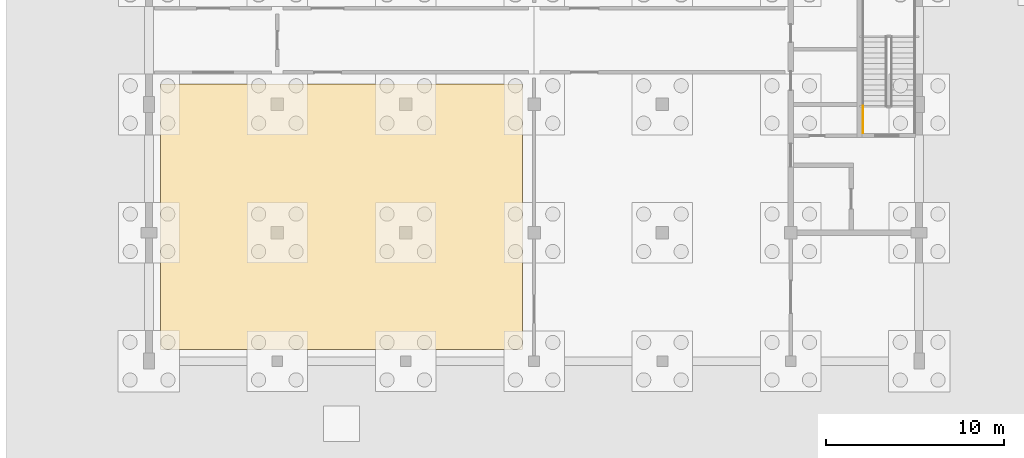
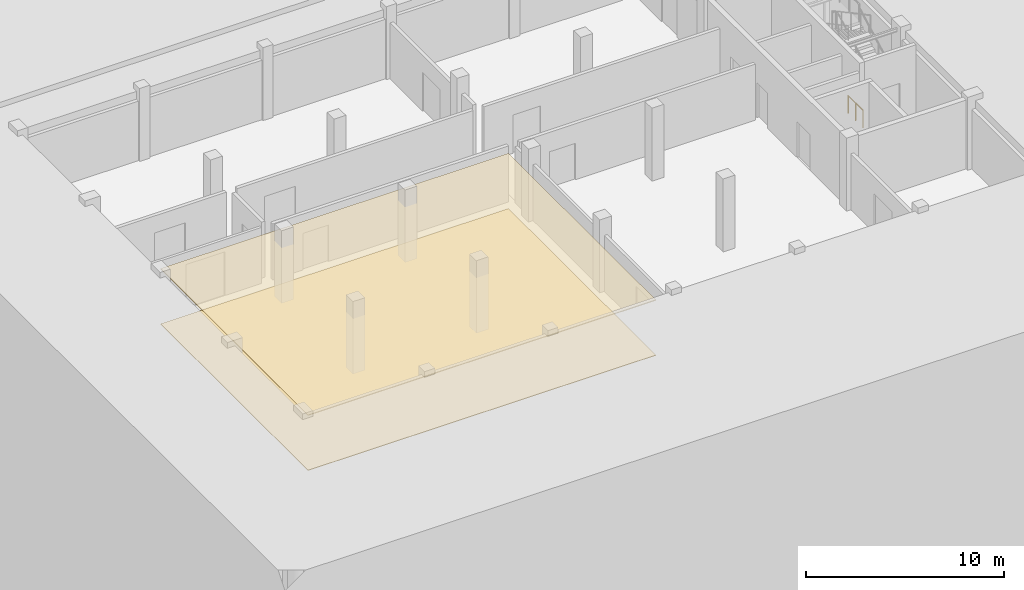
# One storey, part 37 of 51: 2 coverings, 1 railing.
"""IFC4 building model written with IfcOpenShell, lengths in metres."""

from ifc_helpers import new_model, si_unit, direction, frame, origin, origin_2d, place, context, subcontext, project, spatial, polyline, circle, outline, extrude, material, layer, layer_set, type_object, element, save


model = new_model("IFC4")

# Units and contexts
model_context = context("Model", 3, precision=1e-05, world=origin(), true_north=direction((0.0, 1.0)))
body_context = subcontext(model_context, "Body", "Model", "MODEL_VIEW")
ifc_project = project(units=[si_unit("LENGTHUNIT", "METRE"), si_unit("AREAUNIT", "SQUARE_METRE"), si_unit("VOLUMEUNIT", "CUBIC_METRE"), si_unit("PLANEANGLEUNIT", "RADIAN"), si_unit("MASSUNIT", "GRAM", prefix="KILO")], contexts=[model_context])

# Site, building, storey
site_placement = place(None, origin())
site = spatial("IfcSite", under=ifc_project, at=site_placement, CompositionType="ELEMENT")
building_placement = place(site_placement, origin())
building = spatial("IfcBuilding", under=site, at=building_placement, Name="Zlatovets Crest Museum", CompositionType="ELEMENT")
storey_placement = place(building_placement, frame((0.0, 0.0, -4.5)))
storey = spatial("IfcBuildingStorey", under=building, at=storey_placement, Name="B1", CompositionType="ELEMENT", Elevation=-4.5)

# Coverings
ifc_material_1 = material(Name="Micro-perforated gypsum acoustic gallery ceiling")
ifc_layer_1 = layer(ifc_material_1, 0.050048828125)
ifc_layer_set_1 = layer_set([ifc_layer_1], Name="Micro-perforated gypsum acoustic gallery ceiling")
covering_type_1 = type_object("IfcCoveringType", Name="GalleryCeiling_CLG1", PredefinedType="CEILING", material=ifc_layer_set_1)
covering_1_placement = place(storey_placement, frame((0.0, 0.0, 3.389892578125)))
element("IfcCovering", 1, at=covering_1_placement, inside=storey, type_object=covering_type_1, Name="Speaker Green Room and Lecture Prep Acoustic Ceiling", PredefinedType="CEILING", context=body_context, shape_type="SweptSolid", body=[
    extrude(outline(polyline([(0.64990234375, 0.64990234375), (20.949951171875, 0.64990234375), (20.949951171875, 15.550048828125), (0.64990234375, 15.550048828125), (0.64990234375, 0.64990234375)])), origin(), (0.0, 0.0, 1.0), 0.050048828125),
])
ifc_material_2 = material(Name="Quarter-sawn European oak herringbone gallery parquet")
ifc_layer_2 = layer(ifc_material_2, 0.030029296875)
ifc_layer_set_2 = layer_set([ifc_layer_2], Name="Quarter-sawn European oak herringbone gallery parquet")
covering_type_2 = type_object("IfcCoveringType", Name="GalleryFloor_FLR1", PredefinedType="FLOORING", material=ifc_layer_set_2)
covering_2_placement = place(storey_placement, origin())
element("IfcCovering", 2, at=covering_2_placement, inside=storey, type_object=covering_type_2, Name="Speaker Green Room and Lecture Prep Floor Finish", PredefinedType="FLOORING", context=body_context, shape_type="SweptSolid", body=[
    extrude(outline(polyline([(0.64990234375, 0.64990234375), (20.949951171875, 0.64990234375), (20.949951171875, 15.550048828125), (0.64990234375, 15.550048828125), (0.64990234375, 0.64990234375)])), origin(), (0.0, 0.0, 1.0), 0.030029296875),
])

# Railing
ifc_material_3 = material(Name="Painted steel safety guardrail", Category="steel")
railing_type = type_object("IfcRailingType", Name="StairGuard_SG01", PredefinedType="GUARDRAIL", material=ifc_material_3)
railing_placement = place(storey_placement, frame((40.050048828125, 12.800048828125, 0.0)))
element("IfcRailing", 3, at=railing_placement, inside=storey, type_object=railing_type, Name="B1 ST3 stair guard 8", PredefinedType="GUARDRAIL", context=body_context, shape_type="SweptSolid", body=[
    extrude(circle(Radius=0.02392578125, at=origin_2d()), frame((0.0, 0.0, 1.076171875), z_axis=(0.0, 1.0, 0.0), x_axis=(-1.0, 0.0, 0.0)), (0.0, 0.0, 1.0), 1.5),
    extrude(circle(Radius=0.02099609375, at=origin_2d()), origin(), (0.0, 0.0, 1.0), 1.052001953125),
    extrude(circle(Radius=0.02099609375, at=origin_2d()), frame((0.0, 0.75, 0.0)), (0.0, 0.0, 1.0), 1.052001953125),
    extrude(circle(Radius=0.02099609375, at=origin_2d()), frame((0.0, 1.5, 0.0)), (0.0, 0.0, 1.0), 1.052001953125),
])

save(model, "model.ifc")
